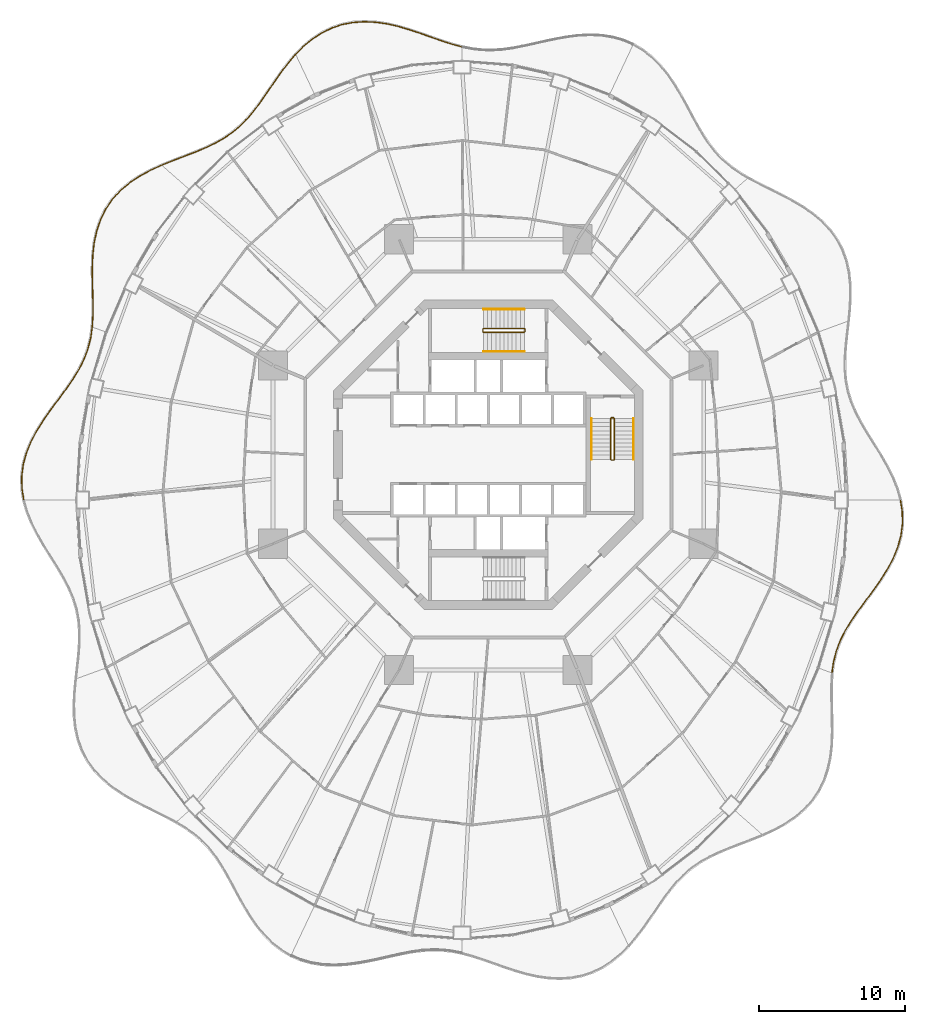
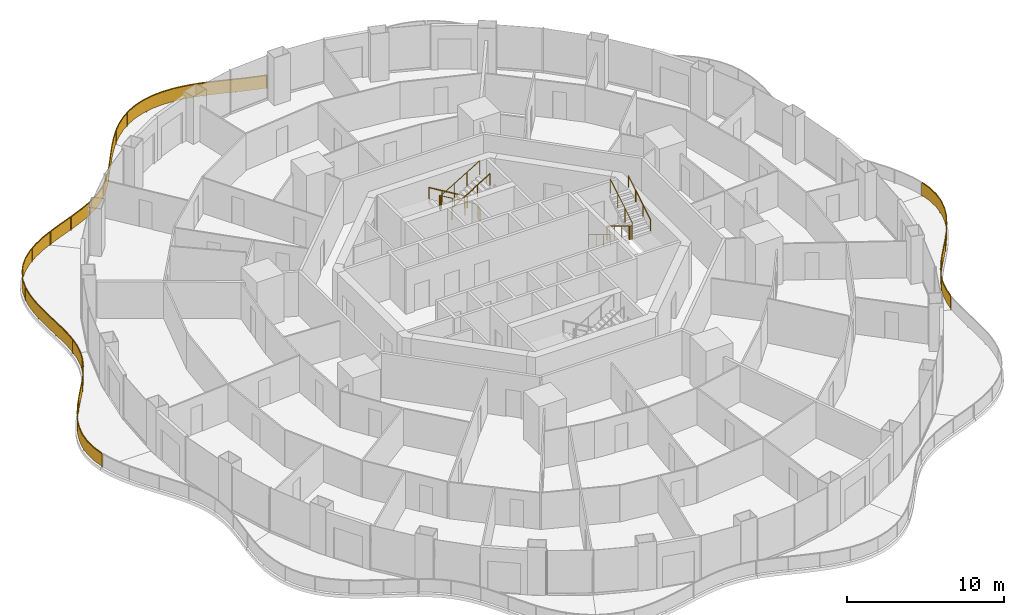
# One storey, part 18 of 19: 11 railings.
"""IFC4 building model written with IfcOpenShell, lengths in metres."""

from ifc_helpers import new_model, si_unit, direction, frame, origin, origin_2d, place, context, subcontext, project, spatial, polyline, rectangle, circle, outline, extrude, material, type_object, element, save


model = new_model("IFC4")

# Units and contexts
model_context = context("Model", 3, precision=1e-05, world=origin(), true_north=direction((0.0, 1.0)))
body_context = subcontext(model_context, "Body", "Model", "MODEL_VIEW")
ifc_project = project(units=[si_unit("LENGTHUNIT", "METRE"), si_unit("AREAUNIT", "SQUARE_METRE"), si_unit("VOLUMEUNIT", "CUBIC_METRE"), si_unit("PLANEANGLEUNIT", "RADIAN"), si_unit("MASSUNIT", "GRAM", prefix="KILO")], contexts=[model_context])

# Site, building, storey
site_placement = place(None, origin())
site = spatial("IfcSite", under=ifc_project, at=site_placement, CompositionType="ELEMENT")
building_placement = place(site_placement, origin())
building = spatial("IfcBuilding", under=site, at=building_placement, Name="Nagisa Residences", CompositionType="ELEMENT")
storey_placement = place(building_placement, frame((0.0, 0.0, 127.0)))
storey = spatial("IfcBuildingStorey", under=building, at=storey_placement, Name="L31", CompositionType="ELEMENT", Elevation=127.0)

# Railings
ifc_material_1 = material(Name="Stainless steel 316", Category="steel")
railing_type_1 = type_object("IfcRailingType", Name="BALCONY GUARD 1100", PredefinedType="BALUSTRADE", material=ifc_material_1)
railing_1_placement = place(storey_placement, frame((-1.834228515625, 27.993408203125, 0.0)))
element("IfcRailing", 1, at=railing_1_placement, inside=storey, type_object=railing_type_1, Name="guard:L31:bal04-0", PredefinedType="BALUSTRADE", context=body_context, shape_type="SweptSolid", body=[
    extrude(outline(polyline([(-0.654296875, 0.152587890625), (-0.006591796875, -0.024169921875), (0.006591796875, 0.024169921875), (-0.64013671875, 0.200439453125), (-1.34326171875, 0.427001953125), (-2.064208984375, 0.6796875), (-2.804443359375, 0.941162109375), (-3.562744140625, 1.193359375), (-4.3193359375, 1.419921875), (-5.104248046875, 1.59716796875), (-5.8935546875, 1.7109375), (-6.679443359375, 1.74755859375), (-7.453125, 1.696533203125), (-8.189697265625, 1.55615234375), (-8.914306640625, 1.31494140625), (-9.603271484375, 0.979736328125), (-10.251708984375, 0.557861328125), (-10.85693359375, 0.0595703125), (-11.383544921875, -0.4697265625), (-11.347900390625, -0.5048828125), (-10.8232421875, 0.0224609375), (-10.221923828125, 0.517333984375), (-9.578369140625, 0.936279296875), (-8.895263671875, 1.2685546875), (-8.177001953125, 1.5078125), (-7.44677734375, 1.646728515625), (-6.678955078125, 1.697265625), (-5.8984375, 1.6611328125), (-5.113525390625, 1.5478515625), (-4.33203125, 1.37158203125), (-3.577880859375, 1.1455078125), (-2.820556640625, 0.893798828125), (-2.080810546875, 0.63232421875), (-1.359375, 0.379638671875), (-0.654296875, 0.152587890625)])), frame((0.0, 0.0, 1.050048828125)), (0.0, 0.0, 1.0), 0.050048828125),
    extrude(outline(polyline([(-0.649169921875, 0.169921875), (-0.001953125, -0.0068359375), (0.001953125, 0.0068359375), (-0.645263671875, 0.18310546875), (-1.34912109375, 0.409912109375), (-2.070068359375, 0.66259765625), (-2.810302734375, 0.924072265625), (-3.568115234375, 1.176025390625), (-4.323974609375, 1.402587890625), (-5.107666015625, 1.579345703125), (-5.895263671875, 1.693115234375), (-6.67919921875, 1.7294921875), (-7.450927734375, 1.678466796875), (-8.18505859375, 1.538818359375), (-8.907470703125, 1.29833984375), (-9.59423828125, 0.964111328125), (-10.240966796875, 0.543212890625), (-10.8447265625, 0.046142578125), (-11.37060546875, -0.482421875), (-11.36083984375, -0.4921875), (-10.83544921875, 0.035888671875), (-10.232666015625, 0.531982421875), (-9.58740234375, 0.951904296875), (-8.902099609375, 1.28515625), (-8.181640625, 1.525146484375), (-7.448974609375, 1.664794921875), (-6.67919921875, 1.71533203125), (-5.896728515625, 1.678955078125), (-5.110107421875, 1.565673828125), (-4.327392578125, 1.388916015625), (-3.572509765625, 1.162841796875), (-2.814697265625, 0.910888671875), (-2.074951171875, 0.6494140625), (-1.353515625, 0.396728515625), (-0.649169921875, 0.169921875)])), frame((0.0, 0.0, 0.06005859375)), (0.0, 0.0, 1.0), 0.989990234375),
    extrude(rectangle(XDim=0.0400390625, YDim=0.0400390625, at=origin_2d()), origin(), (0.0, 0.0, 1.0), 1.050048828125),
    extrude(rectangle(XDim=0.0400390625, YDim=0.0400390625, at=origin_2d()), frame((-1.94970703125, 0.613037109375, 0.0)), (0.0, 0.0, 1.0), 1.050048828125),
    extrude(rectangle(XDim=0.0400390625, YDim=0.0400390625, at=origin_2d()), frame((-3.8876953125, 1.2646484375, 0.0)), (0.0, 0.0, 1.0), 1.050048828125),
    extrude(rectangle(XDim=0.0400390625, YDim=0.0400390625, at=origin_2d()), frame((-5.885498046875, 1.6845703125, 0.0)), (0.0, 0.0, 1.0), 1.050048828125),
    extrude(rectangle(XDim=0.0400390625, YDim=0.0400390625, at=origin_2d()), frame((-7.919189453125, 1.582275390625, 0.0)), (0.0, 0.0, 1.0), 1.050048828125),
    extrude(rectangle(XDim=0.0400390625, YDim=0.0400390625, at=origin_2d()), frame((-9.802490234375, 0.8203125, 0.0)), (0.0, 0.0, 1.0), 1.050048828125),
    extrude(rectangle(XDim=0.0400390625, YDim=0.0400390625, at=origin_2d()), frame((-11.36572265625, -0.4873046875, 0.0)), (0.0, 0.0, 1.0), 1.050048828125),
])
railing_2_placement = place(storey_placement, frame((-13.251708984375, 27.44873046875, 0.0)))
element("IfcRailing", 2, at=railing_2_placement, inside=storey, type_object=railing_type_1, Name="guard:L31:bal05-0", PredefinedType="BALUSTRADE", context=body_context, shape_type="SweptSolid", body=[
    extrude(outline(polyline([(-0.487548828125, -0.611572265625), (0.01904296875, -0.01611328125), (-0.01904296875, 0.01611328125), (-0.526611328125, -0.580322265625), (-1.029296875, -1.242431640625), (-1.50244140625, -1.916015625), (-1.957275390625, -2.58251953125), (-2.40576171875, -3.22509765625), (-2.845703125, -3.821044921875), (-3.317626953125, -4.37841796875), (-3.81787109375, -4.88232421875), (-4.35546875, -5.331787109375), (-4.93603515625, -5.72900390625), (-5.55029296875, -6.070068359375), (-6.220703125, -6.38623046875), (-6.930419921875, -6.679443359375), (-7.670166015625, -6.962890625), (-8.427490234375, -7.25244140625), (-9.146728515625, -7.5419921875), (-9.128173828125, -7.58837890625), (-8.409423828125, -7.298828125), (-7.652099609375, -7.009765625), (-6.911865234375, -6.725830078125), (-6.20068359375, -6.43212890625), (-5.52734375, -6.114501953125), (-4.90966796875, -5.771484375), (-4.3251953125, -5.371826171875), (-3.7841796875, -4.91943359375), (-3.280517578125, -4.412109375), (-2.806640625, -3.852294921875), (-2.365234375, -3.25439453125), (-1.916259765625, -2.61083984375), (-1.46142578125, -1.9443359375), (-0.98876953125, -1.271728515625), (-0.487548828125, -0.611572265625)])), frame((0.0, 0.0, 1.050048828125)), (0.0, 0.0, 1.0), 0.050048828125),
    extrude(outline(polyline([(-0.501708984375, -0.600341796875), (0.00537109375, -0.004638671875), (-0.00537109375, 0.004638671875), (-0.512451171875, -0.591552734375), (-1.0146484375, -1.2529296875), (-1.48779296875, -1.92626953125), (-1.942626953125, -2.5927734375), (-2.39111328125, -3.235595703125), (-2.831787109375, -3.832275390625), (-3.30419921875, -4.390625), (-3.8056640625, -4.895751953125), (-4.344482421875, -5.34619140625), (-4.926513671875, -5.744384765625), (-5.5419921875, -6.0859375), (-6.213623046875, -6.40283203125), (-6.923828125, -6.696044921875), (-7.66357421875, -6.979736328125), (-8.4208984375, -7.26904296875), (-9.14013671875, -7.55859375), (-9.134765625, -7.57177734375), (-8.416015625, -7.2822265625), (-7.65869140625, -6.992919921875), (-6.91845703125, -6.709228515625), (-6.207763671875, -6.41552734375), (-5.53564453125, -6.0986328125), (-4.919189453125, -5.756103515625), (-4.336181640625, -5.357421875), (-3.79638671875, -4.906005859375), (-3.2939453125, -4.39990234375), (-2.820556640625, -3.841064453125), (-2.3798828125, -3.243896484375), (-1.930908203125, -2.6005859375), (-1.47607421875, -1.93408203125), (-1.00341796875, -1.26123046875), (-0.501708984375, -0.600341796875)])), frame((0.0, 0.0, 0.06005859375)), (0.0, 0.0, 1.0), 0.989990234375),
    extrude(rectangle(XDim=0.0400390625, YDim=0.0400390625, at=origin_2d()), origin(), (0.0, 0.0, 1.0), 1.050048828125),
    extrude(rectangle(XDim=0.0400390625, YDim=0.0400390625, at=origin_2d()), frame((-1.25244140625, -1.603515625, 0.0)), (0.0, 0.0, 1.0), 1.050048828125),
    extrude(rectangle(XDim=0.0400390625, YDim=0.0400390625, at=origin_2d()), frame((-2.41259765625, -3.2763671875, 0.0)), (0.0, 0.0, 1.0), 1.050048828125),
    extrude(rectangle(XDim=0.0400390625, YDim=0.0400390625, at=origin_2d()), frame((-3.727294921875, -4.82666015625, 0.0)), (0.0, 0.0, 1.0), 1.050048828125),
    extrude(rectangle(XDim=0.0400390625, YDim=0.0400390625, at=origin_2d()), frame((-5.379638671875, -6.00390625, 0.0)), (0.0, 0.0, 1.0), 1.050048828125),
    extrude(rectangle(XDim=0.0400390625, YDim=0.0400390625, at=origin_2d()), frame((-7.24072265625, -6.8251953125, 0.0)), (0.0, 0.0, 1.0), 1.050048828125),
    extrude(rectangle(XDim=0.0400390625, YDim=0.0400390625, at=origin_2d()), frame((-9.137451171875, -7.565185546875, 0.0)), (0.0, 0.0, 1.0), 1.050048828125),
])
railing_3_placement = place(storey_placement, frame((-22.46044921875, 19.854248046875, 0.0)))
element("IfcRailing", 3, at=railing_3_placement, inside=storey, type_object=railing_type_1, Name="guard:L31:bal06-0", PredefinedType="BALUSTRADE", context=body_context, shape_type="SweptSolid", body=[
    extrude(outline(polyline([(-0.7314453125, -0.361083984375), (0.010498046875, -0.022705078125), (-0.010498046875, 0.022705078125), (-0.75390625, -0.316162109375), (-1.5048828125, -0.7265625), (-2.20361328125, -1.19677734375), (-2.8330078125, -1.732421875), (-3.379150390625, -2.33447265625), (-3.826171875, -2.991455078125), (-4.184326171875, -3.719482421875), (-4.447021484375, -4.497802734375), (-4.62109375, -5.314697265625), (-4.71875, -6.157958984375), (-4.74951171875, -7.00146484375), (-4.74560546875, -7.858642578125), (-4.72265625, -8.705322265625), (-4.703369140625, -9.531982421875), (-4.707763671875, -10.33251953125), (-4.752197265625, -11.0615234375), (-4.702392578125, -11.064453125), (-4.657958984375, -10.333984375), (-4.653076171875, -9.531494140625), (-4.6728515625, -8.703857421875), (-4.69580078125, -7.857666015625), (-4.69921875, -7.00244140625), (-4.6689453125, -6.161865234375), (-4.57177734375, -5.322998046875), (-4.398681640625, -4.510986328125), (-4.137939453125, -3.738525390625), (-3.78271484375, -3.016845703125), (-3.339599609375, -2.36572265625), (-2.79833984375, -1.7685546875), (-2.17333984375, -1.23681640625), (-1.47900390625, -0.76953125), (-0.7314453125, -0.361083984375)])), frame((0.0, 0.0, 1.050048828125)), (0.0, 0.0, 1.0), 0.050048828125),
    extrude(outline(polyline([(-0.739501953125, -0.344970703125), (0.0029296875, -0.00634765625), (-0.0029296875, 0.00634765625), (-0.745849609375, -0.332275390625), (-1.49560546875, -0.741943359375), (-2.192626953125, -1.211181640625), (-2.820556640625, -1.745361328125), (-3.364990234375, -2.345703125), (-3.810546875, -3.000732421875), (-4.167724609375, -3.726318359375), (-4.4296875, -4.50244140625), (-4.603271484375, -5.317626953125), (-4.700927734375, -6.159423828125), (-4.7314453125, -7.001953125), (-4.727783203125, -7.858154296875), (-4.704833984375, -8.704833984375), (-4.685302734375, -9.53173828125), (-4.68994140625, -10.3330078125), (-4.734375, -11.0625), (-4.72021484375, -11.0634765625), (-4.67578125, -10.33349609375), (-4.671142578125, -9.53173828125), (-4.690673828125, -8.704345703125), (-4.713623046875, -7.858154296875), (-4.71728515625, -7.001953125), (-4.686767578125, -6.160400390625), (-4.589599609375, -5.320068359375), (-4.416015625, -4.50634765625), (-4.154541015625, -3.731689453125), (-3.79833984375, -3.007568359375), (-3.353759765625, -2.3544921875), (-2.810791015625, -1.755615234375), (-2.184326171875, -1.222412109375), (-1.48828125, -0.754150390625), (-0.739501953125, -0.344970703125)])), frame((0.0, 0.0, 0.06005859375)), (0.0, 0.0, 1.0), 0.989990234375),
    extrude(rectangle(XDim=0.0400390625, YDim=0.0400390625, at=origin_2d()), origin(), (0.0, 0.0, 1.0), 1.050048828125),
    extrude(rectangle(XDim=0.0400390625, YDim=0.0400390625, at=origin_2d()), frame((-1.924072265625, -1.038818359375, 0.0)), (0.0, 0.0, 1.0), 1.050048828125),
    extrude(rectangle(XDim=0.0400390625, YDim=0.0400390625, at=origin_2d()), frame((-3.493896484375, -2.5478515625, 0.0)), (0.0, 0.0, 1.0), 1.050048828125),
    extrude(rectangle(XDim=0.0400390625, YDim=0.0400390625, at=origin_2d()), frame((-4.425537109375, -4.5166015625, 0.0)), (0.0, 0.0, 1.0), 1.050048828125),
    extrude(rectangle(XDim=0.0400390625, YDim=0.0400390625, at=origin_2d()), frame((-4.712890625, -6.68359375, 0.0)), (0.0, 0.0, 1.0), 1.050048828125),
    extrude(rectangle(XDim=0.0400390625, YDim=0.0400390625, at=origin_2d()), frame((-4.69384765625, -8.873779296875, 0.0)), (0.0, 0.0, 1.0), 1.050048828125),
    extrude(rectangle(XDim=0.0400390625, YDim=0.0400390625, at=origin_2d()), frame((-4.727294921875, -11.06298828125, 0.0)), (0.0, 0.0, 1.0), 1.050048828125),
])
railing_4_placement = place(storey_placement, frame((-27.193115234375, 8.72021484375, 0.0)))
element("IfcRailing", 4, at=railing_4_placement, inside=storey, type_object=railing_type_1, Name="guard:L31:bal07-0", PredefinedType="BALUSTRADE", context=body_context, shape_type="SweptSolid", body=[
    extrude(outline(polyline([(-0.080322265625, -0.72802734375), (0.024658203125, -0.003662109375), (-0.024658203125, 0.003662109375), (-0.129638671875, -0.71826171875), (-0.314697265625, -1.45068359375), (-0.579345703125, -2.157958984375), (-0.922119140625, -2.847412109375), (-1.33544921875, -3.52734375), (-1.8017578125, -4.192626953125), (-2.30859375, -4.87890625), (-2.8291015625, -5.579345703125), (-3.33740234375, -6.29931640625), (-3.807861328125, -7.041748046875), (-4.213134765625, -7.7939453125), (-4.53515625, -8.58154296875), (-4.755126953125, -9.38720703125), (-4.861328125, -10.205078125), (-4.848876953125, -11.028564453125), (-4.72705078125, -11.803466796875), (-4.677734375, -11.795654296875), (-4.799072265625, -11.024169921875), (-4.81103515625, -10.2080078125), (-4.705810546875, -9.39697265625), (-4.48779296875, -8.59765625), (-4.167724609375, -7.8154296875), (-3.764404296875, -7.067138671875), (-3.2958984375, -6.3271484375), (-2.78857421875, -5.608642578125), (-2.2685546875, -4.90869140625), (-1.76123046875, -4.221923828125), (-1.29345703125, -3.5546875), (-0.878173828125, -2.871826171875), (-0.533447265625, -2.177978515625), (-0.266845703125, -1.4658203125), (-0.080322265625, -0.72802734375)])), frame((0.0, 0.0, 1.050048828125)), (0.0, 0.0, 1.0), 0.050048828125),
    extrude(outline(polyline([(-0.09814453125, -0.724609375), (0.0068359375, -0.0009765625), (-0.0068359375, 0.0009765625), (-0.11181640625, -0.7216796875), (-0.29736328125, -1.4560546875), (-0.562744140625, -2.165283203125), (-0.90625, -2.856201171875), (-1.3203125, -3.537109375), (-1.787109375, -4.203125), (-2.294189453125, -4.8896484375), (-2.814453125, -5.58984375), (-3.322509765625, -6.309326171875), (-3.792236328125, -7.051025390625), (-4.19677734375, -7.8017578125), (-4.51806640625, -8.58740234375), (-4.7373046875, -9.390625), (-4.84326171875, -10.2060546875), (-4.8310546875, -11.02685546875), (-4.709228515625, -11.800537109375), (-4.695556640625, -11.798583984375), (-4.81689453125, -11.02587890625), (-4.8291015625, -10.20703125), (-4.7236328125, -9.3935546875), (-4.5048828125, -8.591796875), (-4.18408203125, -7.8076171875), (-3.780029296875, -7.057861328125), (-3.310791015625, -6.317138671875), (-2.80322265625, -5.59814453125), (-2.282958984375, -4.89794921875), (-1.77587890625, -4.21142578125), (-1.30859375, -3.544921875), (-0.89404296875, -2.863037109375), (-0.550048828125, -2.170654296875), (-0.2841796875, -1.46044921875), (-0.09814453125, -0.724609375)])), frame((0.0, 0.0, 0.06005859375)), (0.0, 0.0, 1.0), 0.989990234375),
    extrude(rectangle(XDim=0.0400390625, YDim=0.0400390625, at=origin_2d()), origin(), (0.0, 0.0, 1.0), 1.050048828125),
    extrude(rectangle(XDim=0.0400390625, YDim=0.0400390625, at=origin_2d()), frame((-0.532470703125, -2.103759765625, 0.0)), (0.0, 0.0, 1.0), 1.050048828125),
    extrude(rectangle(XDim=0.0400390625, YDim=0.0400390625, at=origin_2d()), frame((-1.62451171875, -3.983154296875, 0.0)), (0.0, 0.0, 1.0), 1.050048828125),
    extrude(rectangle(XDim=0.0400390625, YDim=0.0400390625, at=origin_2d()), frame((-2.912109375, -5.740234375, 0.0)), (0.0, 0.0, 1.0), 1.050048828125),
    extrude(rectangle(XDim=0.0400390625, YDim=0.0400390625, at=origin_2d()), frame((-4.070556640625, -7.58203125, 0.0)), (0.0, 0.0, 1.0), 1.050048828125),
    extrude(rectangle(XDim=0.0400390625, YDim=0.0400390625, at=origin_2d()), frame((-4.761962890625, -9.6357421875, 0.0)), (0.0, 0.0, 1.0), 1.050048828125),
    extrude(rectangle(XDim=0.0400390625, YDim=0.0400390625, at=origin_2d()), frame((-4.702392578125, -11.799560546875, 0.0)), (0.0, 0.0, 1.0), 1.050048828125),
])
railing_5_placement = place(storey_placement, frame((23.593017578125, -14.95556640625, 0.0)))
element("IfcRailing", 5, at=railing_5_placement, inside=storey, type_object=railing_type_1, Name="guard:L31:bal15-0", PredefinedType="BALUSTRADE", context=body_context, shape_type="SweptSolid", body=[
    extrude(outline(polyline([(0.080322265625, 0.72802734375), (-0.024658203125, 0.003662109375), (0.024658203125, -0.003662109375), (0.129638671875, 0.71826171875), (0.31494140625, 1.450439453125), (0.579345703125, 2.157958984375), (0.92236328125, 2.847412109375), (1.33544921875, 3.52734375), (1.802001953125, 4.192626953125), (2.30859375, 4.87890625), (2.8291015625, 5.579345703125), (3.337646484375, 6.29931640625), (3.807861328125, 7.041748046875), (4.21337890625, 7.793701171875), (4.535400390625, 8.58154296875), (4.75537109375, 9.38720703125), (4.861572265625, 10.204833984375), (4.84912109375, 11.0283203125), (4.727294921875, 11.803466796875), (4.677978515625, 11.795654296875), (4.79931640625, 11.02392578125), (4.811279296875, 10.207763671875), (4.7060546875, 9.39697265625), (4.488037109375, 8.59765625), (4.16796875, 7.815185546875), (3.764404296875, 7.067138671875), (3.296142578125, 6.3271484375), (2.78857421875, 5.608642578125), (2.2685546875, 4.90869140625), (1.761474609375, 4.221923828125), (1.29345703125, 3.5546875), (0.87841796875, 2.871826171875), (0.533447265625, 2.177978515625), (0.26708984375, 1.465576171875), (0.080322265625, 0.72802734375)])), frame((0.0, 0.0, 1.050048828125)), (0.0, 0.0, 1.0), 0.050048828125),
    extrude(outline(polyline([(0.09814453125, 0.724609375), (-0.0068359375, 0.0009765625), (0.0068359375, -0.0009765625), (0.11181640625, 0.7216796875), (0.297607421875, 1.455810546875), (0.562744140625, 2.165283203125), (0.906494140625, 2.856201171875), (1.3203125, 3.537109375), (1.787353515625, 4.203125), (2.294189453125, 4.8896484375), (2.814453125, 5.58984375), (3.32275390625, 6.309326171875), (3.792236328125, 7.051025390625), (4.197021484375, 7.801513671875), (4.518310546875, 8.58740234375), (4.737548828125, 9.390625), (4.843505859375, 10.205810546875), (4.831298828125, 11.026611328125), (4.70947265625, 11.800537109375), (4.69580078125, 11.798583984375), (4.817138671875, 11.025634765625), (4.829345703125, 10.206787109375), (4.723876953125, 9.3935546875), (4.505126953125, 8.591796875), (4.184326171875, 7.807373046875), (3.780029296875, 7.057861328125), (3.31103515625, 6.317138671875), (2.80322265625, 5.59814453125), (2.282958984375, 4.89794921875), (1.776123046875, 4.21142578125), (1.30859375, 3.544921875), (0.894287109375, 2.863037109375), (0.550048828125, 2.170654296875), (0.284423828125, 1.460205078125), (0.09814453125, 0.724609375)])), frame((0.0, 0.0, 0.06005859375)), (0.0, 0.0, 1.0), 0.989990234375),
    extrude(rectangle(XDim=0.0400390625, YDim=0.0400390625, at=origin_2d()), origin(), (0.0, 0.0, 1.0), 1.050048828125),
    extrude(rectangle(XDim=0.0400390625, YDim=0.0400390625, at=origin_2d()), frame((0.532470703125, 2.10400390625, 0.0)), (0.0, 0.0, 1.0), 1.050048828125),
    extrude(rectangle(XDim=0.0400390625, YDim=0.0400390625, at=origin_2d()), frame((1.62451171875, 3.983154296875, 0.0)), (0.0, 0.0, 1.0), 1.050048828125),
    extrude(rectangle(XDim=0.0400390625, YDim=0.0400390625, at=origin_2d()), frame((2.912109375, 5.740234375, 0.0)), (0.0, 0.0, 1.0), 1.050048828125),
    extrude(rectangle(XDim=0.0400390625, YDim=0.0400390625, at=origin_2d()), frame((4.07080078125, 7.58203125, 0.0)), (0.0, 0.0, 1.0), 1.050048828125),
    extrude(rectangle(XDim=0.0400390625, YDim=0.0400390625, at=origin_2d()), frame((4.762451171875, 9.635498046875, 0.0)), (0.0, 0.0, 1.0), 1.050048828125),
    extrude(rectangle(XDim=0.0400390625, YDim=0.0400390625, at=origin_2d()), frame((4.70263671875, 11.799560546875, 0.0)), (0.0, 0.0, 1.0), 1.050048828125),
])
ifc_material_2 = material(Name="Stainless steel", Category="steel")
railing_type_2 = type_object("IfcRailingType", Name="Stair guard 1100", PredefinedType="GUARDRAIL", material=ifc_material_2)
railing_6_placement = place(storey_placement, frame((8.599609375, 2.52490234375, 0.0)))
element("IfcRailing", 6, at=railing_6_placement, inside=storey, type_object=railing_type_2, Name="L31 ST-E stair guard 1", PredefinedType="GUARDRAIL", context=body_context, shape_type="SweptSolid", body=[
    extrude(circle(Radius=0.02392578125, at=origin_2d()), frame((0.0, 0.0, 1.076171875), z_axis=(-1.0, 0.0, 0.0), x_axis=(0.0, -1.0, 0.0)), (0.0, 0.0, 1.0), 0.14990234375),
    extrude(circle(Radius=0.02392578125, at=origin_2d()), frame((-0.14990234375, 0.0, 1.076171875), z_axis=(-0.27434429532, -0.273006030465, 0.922064485248), x_axis=(0.705375805398, -0.708833529934, 0.0)), (0.0, 0.0, 1.0), 0.182373046875),
    extrude(circle(Radius=0.02392578125, at=origin_2d()), frame((-0.199951171875, -0.0498046875, 1.244140625), z_axis=(0.0, -0.857242210791, 0.514913383045), x_axis=(1.0, 0.0, 0.0)), (0.0, 0.0, 1.0), 3.266357421875),
    extrude(circle(Radius=0.02392578125, at=origin_2d()), frame((-0.199951171875, -2.849853515625, 2.92626953125), z_axis=(0.707106781187, -0.707106781187, 0.0), x_axis=(0.707106781187, 0.707106781187, 0.0)), (0.0, 0.0, 1.0), 0.07080078125),
    extrude(circle(Radius=0.02392578125, at=origin_2d()), frame((-0.14990234375, -2.89990234375, 2.92626953125), z_axis=(1.0, 0.0, 0.0), x_axis=(0.0, 1.0, 0.0)), (0.0, 0.0, 1.0), 0.14990234375),
    extrude(circle(Radius=0.02392578125, at=origin_2d()), frame((0.0, -2.89990234375, 2.92626953125), z_axis=(0.274582412415, 0.274582412415, 0.921525364591), x_axis=(-0.707106781187, 0.707106781187, 0.0)), (0.0, 0.0, 1.0), 0.182373046875),
    extrude(circle(Radius=0.02392578125, at=origin_2d()), frame((0.050048828125, -2.849853515625, 3.09423828125), z_axis=(0.0, 0.857242210791, 0.514913383045), x_axis=(-1.0, 0.0, 0.0)), (0.0, 0.0, 1.0), 3.266357421875),
    extrude(circle(Radius=0.02099609375, at=origin_2d()), origin(), (0.0, 0.0, 1.0), 1.052001953125),
    extrude(circle(Radius=0.02099609375, at=origin_2d()), frame((-0.14990234375, 0.0, 0.0)), (0.0, 0.0, 1.0), 1.052001953125),
    extrude(circle(Radius=0.02099609375, at=origin_2d()), frame((-0.199951171875, -0.0498046875, 0.168212890625)), (0.0, 0.0, 1.0), 1.052001953125),
    extrude(circle(Radius=0.02099609375, at=origin_2d()), frame((-0.199951171875, -0.983154296875, 0.728759765625)), (0.0, 0.0, 1.0), 1.052001953125),
    extrude(circle(Radius=0.02099609375, at=origin_2d()), frame((-0.199951171875, -1.91650390625, 1.28955078125)), (0.0, 0.0, 1.0), 1.052001953125),
    extrude(circle(Radius=0.02099609375, at=origin_2d()), frame((-0.199951171875, -2.849853515625, 1.85009765625)), (0.0, 0.0, 1.0), 1.052001953125),
    extrude(circle(Radius=0.02099609375, at=origin_2d()), frame((-0.14990234375, -2.89990234375, 1.85009765625)), (0.0, 0.0, 1.0), 1.052001953125),
    extrude(circle(Radius=0.02099609375, at=origin_2d()), frame((0.0, -2.89990234375, 1.85009765625)), (0.0, 0.0, 1.0), 1.052001953125),
    extrude(circle(Radius=0.02099609375, at=origin_2d()), frame((0.050048828125, -2.849853515625, 2.01806640625)), (0.0, 0.0, 1.0), 1.052001953125),
    extrude(circle(Radius=0.02099609375, at=origin_2d()), frame((0.050048828125, -1.91650390625, 2.57861328125)), (0.0, 0.0, 1.0), 1.052001953125),
    extrude(circle(Radius=0.02099609375, at=origin_2d()), frame((0.050048828125, -0.983154296875, 3.139404296875)), (0.0, 0.0, 1.0), 1.052001953125),
    extrude(circle(Radius=0.02099609375, at=origin_2d()), frame((0.050048828125, -0.0498046875, 3.699951171875)), (0.0, 0.0, 1.0), 1.052001953125),
])
railing_7_placement = place(storey_placement, frame((2.52490234375, 8.44970703125, 0.0)))
element("IfcRailing", 7, at=railing_7_placement, inside=storey, type_object=railing_type_2, Name="L31 ST-N stair guard 1", PredefinedType="GUARDRAIL", context=body_context, shape_type="SweptSolid", body=[
    extrude(circle(Radius=0.02392578125, at=origin_2d()), frame((0.0, 0.0, 1.076171875), z_axis=(0.0, 1.0, 0.0), x_axis=(-1.0, 0.0, 0.0)), (0.0, 0.0, 1.0), 0.14990234375),
    extrude(circle(Radius=0.02392578125, at=origin_2d()), frame((0.0, 0.14990234375, 1.076171875), z_axis=(-0.273006030465, 0.27434429532, 0.922064485248), x_axis=(-0.708833529934, -0.705375805398, 0.0)), (0.0, 0.0, 1.0), 0.182373046875),
    extrude(circle(Radius=0.02392578125, at=origin_2d()), frame((-0.0498046875, 0.199951171875, 1.244140625), z_axis=(-0.857242210791, 0.0, 0.514913383045), x_axis=(0.0, -1.0, 0.0)), (0.0, 0.0, 1.0), 3.266357421875),
    extrude(circle(Radius=0.02392578125, at=origin_2d()), frame((-2.849853515625, 0.199951171875, 2.92626953125), z_axis=(-0.707106781187, -0.707106781187, 0.0), x_axis=(0.707106781187, -0.707106781187, 0.0)), (0.0, 0.0, 1.0), 0.07080078125),
    extrude(circle(Radius=0.02392578125, at=origin_2d()), frame((-2.89990234375, 0.14990234375, 2.92626953125), z_axis=(0.0, -1.0, 0.0), x_axis=(1.0, 0.0, 0.0)), (0.0, 0.0, 1.0), 0.14990234375),
    extrude(circle(Radius=0.02392578125, at=origin_2d()), frame((-2.89990234375, 0.0, 2.92626953125), z_axis=(0.274582412415, -0.274582412415, 0.921525364591), x_axis=(0.707106781187, 0.707106781187, 0.0)), (0.0, 0.0, 1.0), 0.182373046875),
    extrude(circle(Radius=0.02392578125, at=origin_2d()), frame((-2.849853515625, -0.050048828125, 3.09423828125), z_axis=(0.857242210791, 0.0, 0.514913383045), x_axis=(0.0, 1.0, 0.0)), (0.0, 0.0, 1.0), 3.266357421875),
    extrude(circle(Radius=0.02099609375, at=origin_2d()), origin(), (0.0, 0.0, 1.0), 1.052001953125),
    extrude(circle(Radius=0.02099609375, at=origin_2d()), frame((0.0, 0.14990234375, 0.0)), (0.0, 0.0, 1.0), 1.052001953125),
    extrude(circle(Radius=0.02099609375, at=origin_2d()), frame((-0.0498046875, 0.199951171875, 0.168212890625)), (0.0, 0.0, 1.0), 1.052001953125),
    extrude(circle(Radius=0.02099609375, at=origin_2d()), frame((-0.983154296875, 0.199951171875, 0.728759765625)), (0.0, 0.0, 1.0), 1.052001953125),
    extrude(circle(Radius=0.02099609375, at=origin_2d()), frame((-1.91650390625, 0.199951171875, 1.28955078125)), (0.0, 0.0, 1.0), 1.052001953125),
    extrude(circle(Radius=0.02099609375, at=origin_2d()), frame((-2.849853515625, 0.199951171875, 1.85009765625)), (0.0, 0.0, 1.0), 1.052001953125),
    extrude(circle(Radius=0.02099609375, at=origin_2d()), frame((-2.89990234375, 0.14990234375, 1.85009765625)), (0.0, 0.0, 1.0), 1.052001953125),
    extrude(circle(Radius=0.02099609375, at=origin_2d()), frame((-2.89990234375, 0.0, 1.85009765625)), (0.0, 0.0, 1.0), 1.052001953125),
    extrude(circle(Radius=0.02099609375, at=origin_2d()), frame((-2.849853515625, -0.050048828125, 2.01806640625)), (0.0, 0.0, 1.0), 1.052001953125),
    extrude(circle(Radius=0.02099609375, at=origin_2d()), frame((-1.91650390625, -0.050048828125, 2.57861328125)), (0.0, 0.0, 1.0), 1.052001953125),
    extrude(circle(Radius=0.02099609375, at=origin_2d()), frame((-0.983154296875, -0.050048828125, 3.139404296875)), (0.0, 0.0, 1.0), 1.052001953125),
    extrude(circle(Radius=0.02099609375, at=origin_2d()), frame((-0.0498046875, -0.050048828125, 3.699951171875)), (0.0, 0.0, 1.0), 1.052001953125),
])
ifc_material_3 = material(Name="Stainless steel", Category="steel")
railing_type_3 = type_object("IfcRailingType", Name="Stair handrail 900", PredefinedType="HANDRAIL", material=ifc_material_3)
railing_8_placement = place(storey_placement, frame((7.07470703125, 2.47509765625, 0.168212890625)))
element("IfcRailing", 8, at=railing_8_placement, inside=storey, type_object=railing_type_3, Name="L31 ST-E stair handrail 1", PredefinedType="HANDRAIL", context=body_context, shape_type="SweptSolid", body=[
    extrude(circle(Radius=0.02392578125, at=origin_2d()), frame((0.0, 0.0, 0.8759765625), z_axis=(0.0, -0.857242210791, 0.514913383045), x_axis=(1.0, 0.0, 0.0)), (0.0, 0.0, 1.0), 3.266357421875),
    extrude(circle(Radius=0.02099609375, at=origin_2d()), origin(), (0.0, 0.0, 1.0), 0.851806640625),
    extrude(circle(Radius=0.02099609375, at=origin_2d()), frame((0.0, -0.933349609375, 0.560546875)), (0.0, 0.0, 1.0), 0.851806640625),
    extrude(circle(Radius=0.02099609375, at=origin_2d()), frame((0.0, -1.86669921875, 1.121337890625)), (0.0, 0.0, 1.0), 0.851806640625),
    extrude(circle(Radius=0.02099609375, at=origin_2d()), frame((0.0, -2.800048828125, 1.681884765625)), (0.0, 0.0, 1.0), 0.851806640625),
])
railing_9_placement = place(storey_placement, frame((9.974609375, -0.324951171875, 2.01806640625)))
element("IfcRailing", 9, at=railing_9_placement, inside=storey, type_object=railing_type_3, Name="L31 ST-E stair handrail 2", PredefinedType="HANDRAIL", context=body_context, shape_type="SweptSolid", body=[
    extrude(circle(Radius=0.02392578125, at=origin_2d()), frame((0.0, 0.0, 0.8759765625), z_axis=(0.0, 0.857242210791, 0.514913383045), x_axis=(-1.0, 0.0, 0.0)), (0.0, 0.0, 1.0), 3.266357421875),
    extrude(circle(Radius=0.02099609375, at=origin_2d()), origin(), (0.0, 0.0, 1.0), 0.851806640625),
    extrude(circle(Radius=0.02099609375, at=origin_2d()), frame((0.0, 0.933349609375, 0.560546875)), (0.0, 0.0, 1.0), 0.851806640625),
    extrude(circle(Radius=0.02099609375, at=origin_2d()), frame((0.0, 1.86669921875, 1.121337890625)), (0.0, 0.0, 1.0), 0.851806640625),
    extrude(circle(Radius=0.02099609375, at=origin_2d()), frame((0.0, 2.800048828125, 1.681884765625)), (0.0, 0.0, 1.0), 0.851806640625),
])
railing_10_placement = place(storey_placement, frame((2.47509765625, 9.974609375, 0.168212890625)))
element("IfcRailing", 10, at=railing_10_placement, inside=storey, type_object=railing_type_3, Name="L31 ST-N stair handrail 1", PredefinedType="HANDRAIL", context=body_context, shape_type="SweptSolid", body=[
    extrude(circle(Radius=0.02392578125, at=origin_2d()), frame((0.0, 0.0, 0.8759765625), z_axis=(-0.857242210791, 0.0, 0.514913383045), x_axis=(0.0, -1.0, 0.0)), (0.0, 0.0, 1.0), 3.266357421875),
    extrude(circle(Radius=0.02099609375, at=origin_2d()), origin(), (0.0, 0.0, 1.0), 0.851806640625),
    extrude(circle(Radius=0.02099609375, at=origin_2d()), frame((-0.933349609375, 0.0, 0.560546875)), (0.0, 0.0, 1.0), 0.851806640625),
    extrude(circle(Radius=0.02099609375, at=origin_2d()), frame((-1.86669921875, 0.0, 1.121337890625)), (0.0, 0.0, 1.0), 0.851806640625),
    extrude(circle(Radius=0.02099609375, at=origin_2d()), frame((-2.800048828125, 0.0, 1.681884765625)), (0.0, 0.0, 1.0), 0.851806640625),
])
railing_11_placement = place(storey_placement, frame((-0.324951171875, 7.07470703125, 2.01806640625)))
element("IfcRailing", 11, at=railing_11_placement, inside=storey, type_object=railing_type_3, Name="L31 ST-N stair handrail 2", PredefinedType="HANDRAIL", context=body_context, shape_type="SweptSolid", body=[
    extrude(circle(Radius=0.02392578125, at=origin_2d()), frame((0.0, 0.0, 0.8759765625), z_axis=(0.857242210791, 0.0, 0.514913383045), x_axis=(0.0, 1.0, 0.0)), (0.0, 0.0, 1.0), 3.266357421875),
    extrude(circle(Radius=0.02099609375, at=origin_2d()), origin(), (0.0, 0.0, 1.0), 0.851806640625),
    extrude(circle(Radius=0.02099609375, at=origin_2d()), frame((0.933349609375, 0.0, 0.560546875)), (0.0, 0.0, 1.0), 0.851806640625),
    extrude(circle(Radius=0.02099609375, at=origin_2d()), frame((1.86669921875, 0.0, 1.121337890625)), (0.0, 0.0, 1.0), 0.851806640625),
    extrude(circle(Radius=0.02099609375, at=origin_2d()), frame((2.800048828125, 0.0, 1.681884765625)), (0.0, 0.0, 1.0), 0.851806640625),
])

save(model, "model.ifc")
